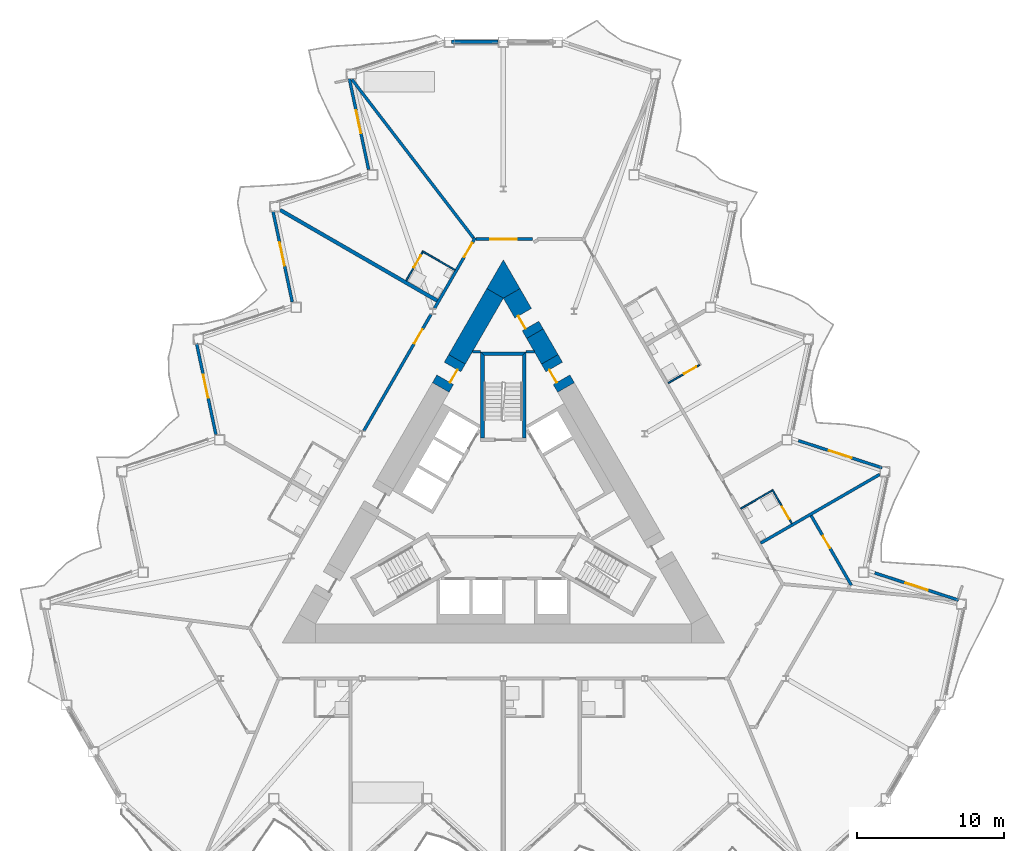
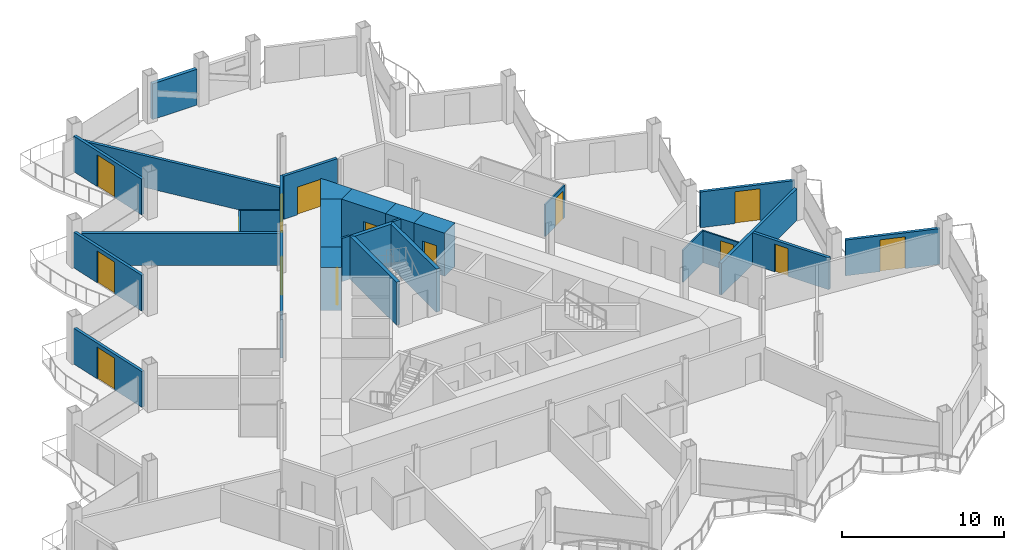
# One storey, part 14 of 23: 29 walls, 15 doors, 15 openings.
"""IFC4 building model written with IfcOpenShell, lengths in metres."""

from ifc_helpers import new_model, si_unit, direction, frame, frame_2d, origin, place, context, subcontext, project, spatial, polyline, rectangle, outline, extrude, material, layer, layer_set, type_object, element, fill, save


model = new_model("IFC4")

# Units and contexts
model_context = context("Model", 3, precision=1e-05, world=origin(), true_north=direction((0.0, 1.0)))
body_context = subcontext(model_context, "Body", "Model", "MODEL_VIEW")
ifc_project = project(units=[si_unit("LENGTHUNIT", "METRE"), si_unit("AREAUNIT", "SQUARE_METRE"), si_unit("VOLUMEUNIT", "CUBIC_METRE"), si_unit("PLANEANGLEUNIT", "RADIAN"), si_unit("MASSUNIT", "GRAM", prefix="KILO")], contexts=[model_context])

# Site, building, storey
site_placement = place(None, origin())
site = spatial("IfcSite", under=ifc_project, at=site_placement, CompositionType="ELEMENT")
building_placement = place(site_placement, origin())
building = spatial("IfcBuilding", under=site, at=building_placement, Name="Cormorant Prow Tower", CompositionType="ELEMENT")
storey_placement = place(building_placement, frame((0.0, 0.0, 252.60009765625)))
storey = spatial("IfcBuildingStorey", under=building, at=storey_placement, Name="L56", CompositionType="ELEMENT", Elevation=252.60009765625)

# Walls
ifc_material_1 = material(Name="Gypsum board partition")
ifc_layer_1 = layer(ifc_material_1, 0.14990234375)
ifc_layer_set_1 = layer_set([ifc_layer_1], Name="Gypsum board partition")
wall_type_1 = type_object("IfcWallType", Name="Core partition 150", PredefinedType="PARTITIONING", material=ifc_layer_set_1)
for number, where, z_axis, x_axis, name in (
    (1, (1.5439453125, 11.0869140625, 0.0), (0.0, 0.0, 1.0), (1.0, 0.0, 0.0), "Service room partition"),
    (2, (-1.5439453125, 11.0869140625, 0.0), (0.0, 0.0, 1.0), (-1.0, 0.0, 0.0), "Service room partition"),
):
    element("IfcWall", number, at=place(storey_placement, frame(where, z_axis=z_axis, x_axis=x_axis)), inside=storey, type_object=wall_type_1, Name=name, PredefinedType="PARTITIONING", context=body_context, shape_type="SweptSolid", body=[
        extrude(rectangle(XDim=0.553955078125, YDim=0.14990234375, at=frame_2d((0.27685546875, 0.0))), origin(), (0.0, 0.0, 1.0), 3.25),
    ])
ifc_material_2 = material(Name="Concrete 8000 psi", Category="concrete")
ifc_layer_2 = layer(ifc_material_2, 1.300048828125)
ifc_layer_set_2 = layer_set([ifc_layer_2], Name="Concrete 8000 psi")
wall_type_2 = type_object("IfcWallType", Name="Core shear wall 1300", PredefinedType="SHEAR", material=ifc_layer_set_2)
wall_1_placement = place(storey_placement, frame((3.14501953125, 10.572998046875, 0.0), z_axis=(0.0, 0.0, 1.0), x_axis=(-0.500006371327, 0.866021725266, 0.0)))
element("IfcWall", 3, at=wall_1_placement, inside=storey, type_object=wall_type_2, Name="Core wall", PredefinedType="SHEAR", context=body_context, shape_type="SweptSolid", body=[
    extrude(rectangle(XDim=2.009765625, YDim=1.300048828125, at=frame_2d((1.0048828125, 0.0))), origin(), (0.0, 0.0, 1.0), 3.25),
])
wall_2_placement = place(storey_placement, frame((-0.56298828125, 15.04541015625, 0.0), z_axis=(0.0, 0.0, 1.0), x_axis=(-0.499982995661, -0.866035221021, 0.0)))
element("IfcWall", 4, at=wall_2_placement, inside=storey, type_object=wall_type_2, Name="Core wall", PredefinedType="SHEAR", context=body_context, shape_type="SweptSolid", body=[
    extrude(rectangle(XDim=5.164306640625, YDim=1.300048828125, at=frame_2d((2.58203125, 0.0))), origin(), (0.0, 0.0, 1.0), 3.25),
])
wall_3_placement = place(storey_placement, origin())
element("IfcWall", 5, at=wall_3_placement, inside=storey, type_object=wall_type_2, Name="Core wall corner", PredefinedType="SHEAR", context=body_context, shape_type="SweptSolid", body=[
    extrude(outline(polyline([(-1.125732421875, 15.37060546875), (0.0, 17.320556640625), (1.125732421875, 15.37060546875), (0.0, 14.720458984375), (-1.125732421875, 15.37060546875)])), origin(), (0.0, 0.0, 1.0), 3.25),
])

# Wall, opening, door
wall_4_placement = place(storey_placement, frame((2.14013671875, 12.3134765625, 0.0), z_axis=(0.0, 0.0, 1.0), x_axis=(-0.499968102766, 0.866043818878, 0.0)))
wall_4 = element("IfcWall", 6, at=wall_4_placement, inside=storey, type_object=wall_type_2, Name="Core wall door panel", PredefinedType="SHEAR", context=body_context, shape_type="SweptSolid", body=[
    extrude(rectangle(XDim=3.154541015625, YDim=1.300048828125, at=frame_2d((1.5771484375, 0.0))), origin(), (0.0, 0.0, 1.0), 3.25),
])
opening_1_placement = place(wall_4_placement, frame((0.60009765625, 0.0, 0.0)))
opening_1 = element("IfcOpeningElement", 7, at=opening_1_placement, cuts=wall_4, Name="Opening L56-C16", PredefinedType="OPENING", context=body_context, shape_type="SweptSolid", body=[
    extrude(rectangle(XDim=1.0, YDim=2.10009765625, at=frame_2d((0.5, 1.050048828125))), frame((0.0, 0.659912109375, 0.0), z_axis=(0.0, -1.0, 0.0), x_axis=(1.0, 0.0, 0.0)), (0.0, 0.0, 1.0), 1.320068359375),
])
ifc_material_3 = material(Name="Painted steel", Category="steel")
door_type_1 = type_object("IfcDoorType", Name="Service door 1000x2100", OperationType="NOTDEFINED", PredefinedType="DOOR", material=ifc_material_3)
door_1_placement = place(opening_1_placement, origin())
door_1 = element("IfcDoor", 8, at=door_1_placement, inside=storey, type_object=door_type_1, Name="Core door, Mechanical riser room", OperationType="SINGLE_SWING_RIGHT", OverallHeight=2.10009765625, OverallWidth=1.0, PredefinedType="DOOR", context=body_context, shape_type="SweptSolid", body=[
    extrude(rectangle(XDim=1.0, YDim=2.10009765625, at=frame_2d((0.5, 1.050048828125))), frame((0.0, 0.40478515625, 0.0), z_axis=(0.0, -1.0, 0.0), x_axis=(1.0, 0.0, 0.0)), (0.0, 0.0, 1.0), 0.050048828125),
])
fill(opening_1, door_1)

wall_5_placement = place(storey_placement, frame((4.2451171875, 8.667724609375, 0.0), z_axis=(0.0, 0.0, 1.0), x_axis=(-0.50002983664, 0.866008176907, 0.0)))
wall_5 = element("IfcWall", 9, at=wall_5_placement, inside=storey, type_object=wall_type_2, Name="Core wall door panel", PredefinedType="SHEAR", context=body_context, shape_type="SweptSolid", body=[
    extrude(rectangle(XDim=2.199951171875, YDim=1.300048828125, at=frame_2d((1.10009765625, 0.0))), origin(), (0.0, 0.0, 1.0), 3.25),
])
opening_2_placement = place(wall_5_placement, frame((0.60009765625, 0.0, 0.0)))
opening_2 = element("IfcOpeningElement", 10, at=opening_2_placement, cuts=wall_5, Name="Opening L56-C17", PredefinedType="OPENING", context=body_context, shape_type="SweptSolid", body=[
    extrude(rectangle(XDim=1.0, YDim=2.10009765625, at=frame_2d((0.5, 1.050048828125))), frame((0.0, 0.659912109375, 0.0), z_axis=(0.0, -1.0, 0.0), x_axis=(1.0, 0.0, 0.0)), (0.0, 0.0, 1.0), 1.320068359375),
])
door_2_placement = place(opening_2_placement, origin())
door_2 = element("IfcDoor", 11, at=door_2_placement, inside=storey, type_object=door_type_1, Name="Core door, Mechanical riser room", OperationType="SINGLE_SWING_RIGHT", OverallHeight=2.10009765625, OverallWidth=1.0, PredefinedType="DOOR", context=body_context, shape_type="SweptSolid", body=[
    extrude(rectangle(XDim=1.0, YDim=2.10009765625, at=frame_2d((0.5, 1.050048828125))), frame((0.0, 0.40478515625, 0.0), z_axis=(0.0, -1.0, 0.0), x_axis=(1.0, 0.0, 0.0)), (0.0, 0.0, 1.0), 0.050048828125),
])
fill(opening_2, door_2)

wall_6_placement = place(storey_placement, frame((-3.14501953125, 10.572998046875, 0.0), z_axis=(0.0, 0.0, 1.0), x_axis=(-0.50002983664, -0.866008176907, 0.0)))
wall_6 = element("IfcWall", 12, at=wall_6_placement, inside=storey, type_object=wall_type_2, Name="Core wall door panel", PredefinedType="SHEAR", context=body_context, shape_type="SweptSolid", body=[
    extrude(rectangle(XDim=2.199951171875, YDim=1.300048828125, at=frame_2d((1.10009765625, 0.0))), origin(), (0.0, 0.0, 1.0), 3.25),
])
opening_3_placement = place(wall_6_placement, frame((0.60009765625, 0.0, 0.0)))
opening_3 = element("IfcOpeningElement", 13, at=opening_3_placement, cuts=wall_6, Name="Opening L56-C18", PredefinedType="OPENING", context=body_context, shape_type="SweptSolid", body=[
    extrude(rectangle(XDim=1.0, YDim=2.10009765625, at=frame_2d((0.5, 1.050048828125))), frame((0.0, 0.659912109375, 0.0), z_axis=(0.0, -1.0, 0.0), x_axis=(1.0, 0.0, 0.0)), (0.0, 0.0, 1.0), 1.320068359375),
])
door_3_placement = place(opening_3_placement, origin())
door_3 = element("IfcDoor", 14, at=door_3_placement, inside=storey, type_object=door_type_1, Name="Core door, Mechanical riser room", OperationType="SINGLE_SWING_LEFT", OverallHeight=2.10009765625, OverallWidth=1.0, PredefinedType="DOOR", context=body_context, shape_type="SweptSolid", body=[
    extrude(rectangle(XDim=1.0, YDim=2.10009765625, at=frame_2d((0.5, 1.050048828125))), frame((0.0, 0.40478515625, 0.0), z_axis=(0.0, -1.0, 0.0), x_axis=(1.0, 0.0, 0.0)), (0.0, 0.0, 1.0), 0.050048828125),
])
fill(opening_3, door_3)

ifc_material_4 = material(Name="Gypsum board corridor wall")
ifc_layer_3 = layer(ifc_material_4, 0.199951171875)
ifc_layer_set_3 = layer_set([ifc_layer_3], Name="Gypsum board corridor wall")
wall_type_3 = type_object("IfcWallType", Name="Corridor wall 200", PredefinedType="PARTITIONING", material=ifc_layer_set_3)
wall_7_placement = place(storey_placement, frame((-9.45751953125, 5.739501953125, 0.0), z_axis=(0.0, 0.0, 1.0), x_axis=(0.50000207303, 0.866024206917, 0.0)))
wall_7 = element("IfcWall", 15, at=wall_7_placement, inside=storey, type_object=wall_type_3, Name="Corridor wall", PredefinedType="PARTITIONING", context=body_context, shape_type="SweptSolid", body=[
    extrude(rectangle(XDim=9.0947265625, YDim=0.199951171875, at=frame_2d((4.54736328125, 0.0))), origin(), (0.0, 0.0, 1.0), 3.25),
])
opening_4_placement = place(wall_7_placement, frame((6.833251953125, 0.0, 0.0)))
opening_4 = element("IfcOpeningElement", 16, at=opening_4_placement, cuts=wall_7, Name="Opening L56-F21", PredefinedType="OPENING", context=body_context, shape_type="SweptSolid", body=[
    extrude(rectangle(XDim=1.10009765625, YDim=2.10009765625, at=frame_2d((0.550048828125, 1.050048828125))), frame((0.0, 0.10986328125, 0.0), z_axis=(0.0, -1.0, 0.0), x_axis=(1.0, 0.0, 0.0)), (0.0, 0.0, 1.0), 0.219970703125),
])
ifc_material_5 = material(Name="Timber door leaf", Category="wood")
door_type_2 = type_object("IfcDoorType", Name="Suite entrance door 1100x2100", OperationType="NOTDEFINED", PredefinedType="DOOR", material=ifc_material_5)
door_4_placement = place(opening_4_placement, origin())
door_4 = element("IfcDoor", 17, at=door_4_placement, inside=storey, type_object=door_type_2, Name="Executive suite bedroom door", OperationType="SINGLE_SWING_LEFT", OverallHeight=2.10009765625, OverallWidth=1.10009765625, PredefinedType="DOOR", context=body_context, shape_type="SweptSolid", body=[
    extrude(rectangle(XDim=1.10009765625, YDim=2.10009765625, at=frame_2d((0.550048828125, 1.050048828125))), frame((0.0, 0.02490234375, 0.0), z_axis=(0.0, -1.0, 0.0), x_axis=(1.0, 0.0, 0.0)), (0.0, 0.0, 1.0), 0.050048828125),
])
fill(opening_4, door_4)

wall_8_placement = place(storey_placement, frame((-4.668212890625, 14.034912109375, 0.0), z_axis=(0.0, 0.0, 1.0), x_axis=(0.499984524817, 0.866034338201, 0.0)))
wall_8 = element("IfcWall", 18, at=wall_8_placement, inside=storey, type_object=wall_type_3, Name="Corridor wall", PredefinedType="PARTITIONING", context=body_context, shape_type="SweptSolid", body=[
    extrude(rectangle(XDim=5.510498046875, YDim=0.199951171875, at=frame_2d((2.75537109375, 0.0))), origin(), (0.0, 0.0, 1.0), 3.25),
])
opening_5_placement = place(wall_8_placement, frame((4.009765625, 0.0, 0.0)))
opening_5 = element("IfcOpeningElement", 19, at=opening_5_placement, cuts=wall_8, Name="Opening L56-F19", PredefinedType="OPENING", context=body_context, shape_type="SweptSolid", body=[
    extrude(rectangle(XDim=1.10009765625, YDim=2.10009765625, at=frame_2d((0.550048828125, 1.050048828125))), frame((0.0, 0.10986328125, 0.0), z_axis=(0.0, -1.0, 0.0), x_axis=(1.0, 0.0, 0.0)), (0.0, 0.0, 1.0), 0.219970703125),
])
door_5_placement = place(opening_5_placement, origin())
door_5 = element("IfcDoor", 20, at=door_5_placement, inside=storey, type_object=door_type_2, Name="Junior suite door", OperationType="SINGLE_SWING_RIGHT", OverallHeight=2.10009765625, OverallWidth=1.10009765625, PredefinedType="DOOR", context=body_context, shape_type="SweptSolid", body=[
    extrude(rectangle(XDim=1.10009765625, YDim=2.10009765625, at=frame_2d((0.550048828125, 1.050048828125))), frame((0.0, 0.02490234375, 0.0), z_axis=(0.0, -1.0, 0.0), x_axis=(1.0, 0.0, 0.0)), (0.0, 0.0, 1.0), 0.050048828125),
])
fill(opening_5, door_5)

wall_9_placement = place(storey_placement, frame((-1.863037109375, 18.720458984375, 0.0), z_axis=(0.0, 0.0, 1.0), x_axis=(1.0, 0.0, 0.0)))
wall_9 = element("IfcWall", 21, at=wall_9_placement, inside=storey, type_object=wall_type_3, Name="Corridor wall", PredefinedType="PARTITIONING", context=body_context, shape_type="SweptSolid", body=[
    extrude(rectangle(XDim=3.825927734375, YDim=0.199951171875, at=frame_2d((1.9130859375, 0.0))), origin(), (0.0, 0.0, 1.0), 3.25),
])
opening_6_placement = place(wall_9_placement, frame((0.962158203125, 0.0, 0.0)))
opening_6 = element("IfcOpeningElement", 22, at=opening_6_placement, cuts=wall_9, Name="Opening L56-F18", PredefinedType="OPENING", context=body_context, shape_type="SweptSolid", body=[
    extrude(rectangle(XDim=1.800048828125, YDim=2.10009765625, at=frame_2d((0.89990234375, 1.050048828125))), frame((0.0, 0.10986328125, 0.0), z_axis=(0.0, -1.0, 0.0), x_axis=(1.0, 0.0, 0.0)), (0.0, 0.0, 1.0), 0.219970703125),
])
ifc_material_6 = material(Name="Timber door leaf", Category="wood")
door_type_3 = type_object("IfcDoorType", Name="Double door 1800x2100", OperationType="DOUBLE_DOOR_SINGLE_SWING", PredefinedType="DOOR", material=ifc_material_6)
door_6_placement = place(opening_6_placement, origin())
door_6 = element("IfcDoor", 23, at=door_6_placement, inside=storey, type_object=door_type_3, Name="Co-working space door", OperationType="DOUBLE_DOOR_SINGLE_SWING", OverallHeight=2.10009765625, OverallWidth=1.800048828125, PredefinedType="DOOR", context=body_context, shape_type="SweptSolid", body=[
    extrude(rectangle(XDim=1.800048828125, YDim=2.10009765625, at=frame_2d((0.89990234375, 1.050048828125))), frame((0.0, 0.02490234375, 0.0), z_axis=(0.0, -1.0, 0.0), x_axis=(1.0, 0.0, 0.0)), (0.0, 0.0, 1.0), 0.050048828125),
])
fill(opening_6, door_6)

# Walls
ifc_material_7 = material(Name="Gypsum board demising wall")
ifc_layer_4 = layer(ifc_material_7, 0.199951171875)
ifc_layer_set_4 = layer_set([ifc_layer_4], Name="Gypsum board demising wall")
wall_type_4 = type_object("IfcWallType", Name="Demising wall 200", PredefinedType="PARTITIONING", material=ifc_layer_set_4)
wall_10_placement = place(storey_placement, frame((-10.27734375, 29.555908203125, 0.0), z_axis=(0.0, 0.0, 1.0), x_axis=(0.60876001101, -0.793354428358, 0.0)))
element("IfcWall", 24, at=wall_10_placement, inside=storey, type_object=wall_type_4, Name="Demising wall", PredefinedType="PARTITIONING", context=body_context, shape_type="SweptSolid", body=[
    extrude(rectangle(XDim=13.557861328125, YDim=0.199951171875, at=frame_2d((6.77880859375, 0.0))), origin(), (0.0, 0.0, 1.0), 2.404052734375),
])
wall_11_placement = place(storey_placement, frame((17.442626953125, -1.89111328125, 0.0), z_axis=(0.0, 0.0, 1.0), x_axis=(0.866019838429, 0.500009639354, 0.0)))
element("IfcWall", 25, at=wall_11_placement, inside=storey, type_object=wall_type_4, Name="Demising wall", PredefinedType="PARTITIONING", context=body_context, shape_type="SweptSolid", body=[
    extrude(rectangle(XDim=9.321044921875, YDim=0.199951171875, at=frame_2d((4.66064453125, 0.0))), origin(), (0.0, 0.0, 1.0), 2.404052734375),
])

# Wall, opening, door
wall_12_placement = place(storey_placement, frame((20.8701171875, -0.027587890625, 0.0), z_axis=(0.0, 0.0, 1.0), x_axis=(0.499993928037, -0.866028909405, 0.0)))
wall_12 = element("IfcWall", 26, at=wall_12_placement, inside=storey, type_object=wall_type_4, Name="Demising wall", PredefinedType="PARTITIONING", context=body_context, shape_type="SweptSolid", body=[
    extrude(rectangle(XDim=5.44921875, YDim=0.199951171875, at=frame_2d((2.724609375, 0.0))), origin(), (0.0, 0.0, 1.0), 2.404052734375),
])
opening_7_placement = place(wall_12_placement, frame((1.5830078125, 0.0, 0.0)))
opening_7 = element("IfcOpeningElement", 27, at=opening_7_placement, cuts=wall_12, Name="Opening L56-F11", PredefinedType="OPENING", context=body_context, shape_type="SweptSolid", body=[
    extrude(rectangle(XDim=0.949951171875, YDim=2.10009765625, at=frame_2d((0.47509765625, 1.050048828125))), frame((0.0, 0.10986328125, 0.0), z_axis=(0.0, -1.0, 0.0), x_axis=(1.0, 0.0, 0.0)), (0.0, 0.0, 1.0), 0.219970703125),
])
ifc_material_8 = material(Name="Timber door leaf", Category="wood")
door_type_4 = type_object("IfcDoorType", Name="Store door 950x2100", OperationType="NOTDEFINED", PredefinedType="DOOR", material=ifc_material_8)
door_7_placement = place(opening_7_placement, origin())
door_7 = element("IfcDoor", 28, at=door_7_placement, inside=storey, type_object=door_type_4, Name="Housekeeping room door", OperationType="SINGLE_SWING_RIGHT", OverallHeight=2.10009765625, OverallWidth=0.949951171875, PredefinedType="DOOR", context=body_context, shape_type="SweptSolid", body=[
    extrude(rectangle(XDim=0.949951171875, YDim=2.10009765625, at=frame_2d((0.47509765625, 1.050048828125))), frame((0.0, 0.02490234375, 0.0), z_axis=(0.0, -1.0, 0.0), x_axis=(1.0, 0.0, 0.0)), (0.0, 0.0, 1.0), 0.050048828125),
])
fill(opening_7, door_7)

ifc_material_9 = material(Name="Gypsum board partition")
ifc_layer_5 = layer(ifc_material_9, 0.10009765625)
ifc_layer_set_5 = layer_set([ifc_layer_5], Name="Gypsum board partition")
wall_type_5 = type_object("IfcWallType", Name="Internal partition 100", PredefinedType="PARTITIONING", material=ifc_layer_set_5)
wall_13_placement = place(storey_placement, frame((18.232666015625, 1.740478515625, 0.0), z_axis=(0.0, 0.0, 1.0), x_axis=(0.499993606316, -0.866029095148, 0.0)))
wall_13 = element("IfcWall", 29, at=wall_13_placement, inside=storey, type_object=wall_type_5, Name="Internal partition", PredefinedType="PARTITIONING", context=body_context, shape_type="SweptSolid", body=[
    extrude(rectangle(XDim=2.64990234375, YDim=0.10009765625, at=frame_2d((1.324951171875, 0.0))), origin(), (0.0, 0.0, 1.0), 2.404052734375),
])
opening_8_placement = place(wall_13_placement, frame((1.3408203125, 0.0, 0.0)))
opening_8 = element("IfcOpeningElement", 30, at=opening_8_placement, cuts=wall_13, Name="Opening L56-F13", PredefinedType="OPENING", context=body_context, shape_type="SweptSolid", body=[
    extrude(rectangle(XDim=0.949951171875, YDim=2.10009765625, at=frame_2d((0.47509765625, 1.050048828125))), frame((0.0, 0.06005859375, 0.0), z_axis=(0.0, -1.0, 0.0), x_axis=(1.0, 0.0, 0.0)), (0.0, 0.0, 1.0), 0.1201171875),
])
ifc_material_10 = material(Name="Timber door leaf", Category="wood")
door_type_5 = type_object("IfcDoorType", Name="Bathroom door 950x2100", OperationType="NOTDEFINED", PredefinedType="DOOR", material=ifc_material_10)
door_8_placement = place(opening_8_placement, origin())
door_8 = element("IfcDoor", 31, at=door_8_placement, inside=storey, type_object=door_type_5, Name="Guest room door", OperationType="SINGLE_SWING_RIGHT", OverallHeight=2.10009765625, OverallWidth=0.949951171875, PredefinedType="DOOR", context=body_context, shape_type="SweptSolid", body=[
    extrude(rectangle(XDim=0.949951171875, YDim=2.10009765625, at=frame_2d((0.47509765625, 1.050048828125))), frame((0.0, 0.02490234375, 0.0), z_axis=(0.0, -1.0, 0.0), x_axis=(1.0, 0.0, 0.0)), (0.0, 0.0, 1.0), 0.050048828125),
])
fill(opening_8, door_8)

# Wall
wall_14_placement = place(storey_placement, frame((16.092529296875, 0.447265625, 0.0), z_axis=(0.0, 0.0, 1.0), x_axis=(0.866057815567, 0.499943856944, 0.0)))
element("IfcWall", 32, at=wall_14_placement, inside=storey, type_object=wall_type_5, Name="Internal partition", PredefinedType="PARTITIONING", context=body_context, shape_type="SweptSolid", body=[
    extrude(rectangle(XDim=2.449951171875, YDim=0.10009765625, at=frame_2d((1.22509765625, 0.0))), origin(), (0.0, 0.0, 1.0), 2.404052734375),
])

# Wall, opening, door
wall_15_placement = place(storey_placement, frame((11.17333984375, 8.967529296875, 0.0), z_axis=(0.0, 0.0, 1.0), x_axis=(0.866014668023, 0.500018594424, 0.0)))
wall_15 = element("IfcWall", 33, at=wall_15_placement, inside=storey, type_object=wall_type_5, Name="Internal partition", PredefinedType="PARTITIONING", context=body_context, shape_type="SweptSolid", body=[
    extrude(rectangle(XDim=2.4501953125, YDim=0.10009765625, at=frame_2d((1.22509765625, 0.0))), origin(), (0.0, 0.0, 1.0), 2.404052734375),
])
opening_9_placement = place(wall_15_placement, frame((1.25, 0.0, 0.0)))
opening_9 = element("IfcOpeningElement", 34, at=opening_9_placement, cuts=wall_15, Name="Opening L56-F15", PredefinedType="OPENING", context=body_context, shape_type="SweptSolid", body=[
    extrude(rectangle(XDim=0.949951171875, YDim=2.10009765625, at=frame_2d((0.47509765625, 1.050048828125))), frame((0.0, 0.06005859375, 0.0), z_axis=(0.0, -1.0, 0.0), x_axis=(1.0, 0.0, 0.0)), (0.0, 0.0, 1.0), 0.1201171875),
])
door_9_placement = place(opening_9_placement, origin())
door_9 = element("IfcDoor", 35, at=door_9_placement, inside=storey, type_object=door_type_5, Name="Junior suite door", OperationType="SINGLE_SWING_RIGHT", OverallHeight=2.10009765625, OverallWidth=0.949951171875, PredefinedType="DOOR", context=body_context, shape_type="SweptSolid", body=[
    extrude(rectangle(XDim=0.949951171875, YDim=2.10009765625, at=frame_2d((0.47509765625, 1.050048828125))), frame((0.0, 0.02490234375, 0.0), z_axis=(0.0, -1.0, 0.0), x_axis=(1.0, 0.0, 0.0)), (0.0, 0.0, 1.0), 0.050048828125),
])
fill(opening_9, door_9)

# Wall
wall_16_placement = place(storey_placement, frame((-5.493896484375, 17.90478515625, 0.0), z_axis=(0.0, 0.0, 1.0), x_axis=(0.866030925526, -0.499990435942, 0.0)))
element("IfcWall", 36, at=wall_16_placement, inside=storey, type_object=wall_type_5, Name="Internal partition", PredefinedType="PARTITIONING", context=body_context, shape_type="SweptSolid", body=[
    extrude(rectangle(XDim=2.5498046875, YDim=0.10009765625, at=frame_2d((1.27490234375, 0.0))), origin(), (0.0, 0.0, 1.0), 2.404052734375),
])

# Wall, opening, door
wall_17_placement = place(storey_placement, frame((-6.588134765625, 15.909423828125, 0.0), z_axis=(0.0, 0.0, 1.0), x_axis=(0.49999788721, 0.866026623601, 0.0)))
wall_17 = element("IfcWall", 37, at=wall_17_placement, inside=storey, type_object=wall_type_5, Name="Internal partition", PredefinedType="PARTITIONING", context=body_context, shape_type="SweptSolid", body=[
    extrude(rectangle(XDim=2.22509765625, YDim=0.10009765625, at=frame_2d((1.112548828125, 0.0))), origin(), (0.0, 0.0, 1.0), 2.404052734375),
])
opening_10_placement = place(wall_17_placement, frame((1.02490234375, 0.0, 0.0)))
opening_10 = element("IfcOpeningElement", 38, at=opening_10_placement, cuts=wall_17, Name="Opening L56-F20", PredefinedType="OPENING", context=body_context, shape_type="SweptSolid", body=[
    extrude(rectangle(XDim=0.949951171875, YDim=2.10009765625, at=frame_2d((0.47509765625, 1.050048828125))), frame((0.0, 0.06005859375, 0.0), z_axis=(0.0, -1.0, 0.0), x_axis=(1.0, 0.0, 0.0)), (0.0, 0.0, 1.0), 0.1201171875),
])
door_10_placement = place(opening_10_placement, origin())
door_10 = element("IfcDoor", 39, at=door_10_placement, inside=storey, type_object=door_type_5, Name="Junior suite door", OperationType="SINGLE_SWING_RIGHT", OverallHeight=2.10009765625, OverallWidth=0.949951171875, PredefinedType="DOOR", context=body_context, shape_type="SweptSolid", body=[
    extrude(rectangle(XDim=0.949951171875, YDim=2.10009765625, at=frame_2d((0.47509765625, 1.050048828125))), frame((0.0, 0.02490234375, 0.0), z_axis=(0.0, -1.0, 0.0), x_axis=(1.0, 0.0, 0.0)), (0.0, 0.0, 1.0), 0.050048828125),
])
fill(opening_10, door_10)

# Walls
ifc_material_11 = material(Name="Concrete 8000 psi", Category="concrete")
ifc_layer_6 = layer(ifc_material_11, 0.25)
ifc_layer_set_6 = layer_set([ifc_layer_6], Name="Concrete 8000 psi")
wall_type_6 = type_object("IfcWallType", Name="Stair wall 250", PredefinedType="SHEAR", material=ifc_layer_set_6)
wall_18_placement = place(storey_placement, origin())
element("IfcWall", 40, at=wall_18_placement, inside=storey, type_object=wall_type_6, Name="Stair ST3 enclosure wall (flank)", PredefinedType="SHEAR", context=body_context, shape_type="SweptSolid", body=[
    extrude(outline(polyline([(1.5439453125, 5.23681640625), (1.5439453125, 11.0869140625), (1.2939453125, 10.8369140625), (1.2939453125, 5.23681640625), (1.5439453125, 5.23681640625)])), origin(), (0.0, 0.0, 1.0), 3.25),
])
wall_19_placement = place(storey_placement, origin())
element("IfcWall", 41, at=wall_19_placement, inside=storey, type_object=wall_type_6, Name="Stair ST3 enclosure wall (end)", PredefinedType="SHEAR", context=body_context, shape_type="SweptSolid", body=[
    extrude(outline(polyline([(1.5439453125, 11.0869140625), (-1.5439453125, 11.0869140625), (-1.2939453125, 10.8369140625), (1.2939453125, 10.8369140625), (1.5439453125, 11.0869140625)])), origin(), (0.0, 0.0, 1.0), 3.25),
])
wall_20_placement = place(storey_placement, origin())
element("IfcWall", 42, at=wall_20_placement, inside=storey, type_object=wall_type_6, Name="Stair ST3 enclosure wall (flank)", PredefinedType="SHEAR", context=body_context, shape_type="SweptSolid", body=[
    extrude(outline(polyline([(-1.2939453125, 10.8369140625), (-1.5439453125, 11.0869140625), (-1.5439453125, 5.23681640625), (-1.2939453125, 5.23681640625), (-1.2939453125, 10.8369140625)])), origin(), (0.0, 0.0, 1.0), 3.25),
])
ifc_material_12 = material(Name="Acoustic gypsum party wall")
ifc_layer_7 = layer(ifc_material_12, 0.25)
ifc_layer_set_7 = layer_set([ifc_layer_7], Name="Acoustic gypsum party wall")
wall_type_7 = type_object("IfcWallType", Name="Suite party wall 250", PredefinedType="PARTITIONING", material=ifc_layer_set_7)
wall_21_placement = place(storey_placement, frame((-15.138427734375, 20.70166015625, 0.0), z_axis=(0.0, 0.0, 1.0), x_axis=(0.86602627735, -0.499998486937, 0.0)))
element("IfcWall", 43, at=wall_21_placement, inside=storey, type_object=wall_type_7, Name="Suite party wall", PredefinedType="PARTITIONING", context=body_context, shape_type="SweptSolid", body=[
    extrude(rectangle(XDim=12.30078125, YDim=0.25, at=frame_2d((6.150390625, 0.0))), origin(), (0.0, 0.0, 1.0), 2.404052734375),
])
ifc_material_13 = material(Name="Terracotta", Category="masonry")
ifc_layer_8 = layer(ifc_material_13, 0.25)
ifc_layer_set_8 = layer_set([ifc_layer_8], Name="Terracotta")
wall_type_8 = type_object("IfcWallType", Name="Terracotta bay wall 250", PredefinedType="SOLIDWALL", material=ifc_layer_set_8)
wall_22_placement = place(storey_placement, frame((-0.35009765625, 32.099609375, 0.0), z_axis=(0.0, 0.0, 1.0), x_axis=(-1.0, 0.0, 0.0)))
element("IfcWall", 44, at=wall_22_placement, inside=storey, type_object=wall_type_8, Name="Terracotta bay wall N01", PredefinedType="SOLIDWALL", context=body_context, shape_type="SweptSolid", body=[
    extrude(rectangle(XDim=3.168701171875, YDim=0.25, at=frame_2d((1.58447265625, 0.0))), origin(), (0.0, 0.0, 1.0), 2.70068359375),
])

# Wall, opening, door
ifc_material_14 = material(Name="Terracotta", Category="masonry")
ifc_layer_9 = layer(ifc_material_14, 0.199951171875)
ifc_layer_set_9 = layer_set([ifc_layer_9], Name="Terracotta")
wall_type_9 = type_object("IfcWallType", Name="Terracotta jamb wall 200", PredefinedType="SOLIDWALL", material=ifc_layer_set_9)
wall_23_placement = place(storey_placement, frame((30.85888671875, -5.754150390625, 0.0), z_axis=(0.0, 0.0, 1.0), x_axis=(-0.951049400374, 0.309038894069, 0.0)))
wall_23 = element("IfcWall", 45, at=wall_23_placement, inside=storey, type_object=wall_type_9, Name="Terracotta jamb wall ENE01", PredefinedType="SOLIDWALL", context=body_context, shape_type="SweptSolid", body=[
    extrude(rectangle(XDim=5.9677734375, YDim=0.199951171875, at=frame_2d((2.98388671875, 0.0))), origin(), (0.0, 0.0, 1.0), 2.70068359375),
])
opening_11_placement = place(wall_23_placement, frame((2.183837890625, 0.0, 0.0)))
opening_11 = element("IfcOpeningElement", 46, at=opening_11_placement, cuts=wall_23, Name="Opening ED56.06", PredefinedType="OPENING", context=body_context, shape_type="SweptSolid", body=[
    extrude(rectangle(XDim=1.60009765625, YDim=2.39990234375, at=frame_2d((0.800048828125, 1.199951171875))), frame((0.0, 0.10986328125, 0.0), z_axis=(0.0, -1.0, 0.0), x_axis=(1.0, 0.0, 0.0)), (0.0, 0.0, 1.0), 0.219970703125),
])
ifc_material_15 = material(Name="Aluminium 6063-T6", Category="aluminium")
door_type_6 = type_object("IfcDoorType", Name="Balcony door 1600x2400", OperationType="DOUBLE_DOOR_SINGLE_SWING", PredefinedType="DOOR", material=ifc_material_15)
door_11_placement = place(opening_11_placement, origin())
door_11 = element("IfcDoor", 47, at=door_11_placement, inside=storey, type_object=door_type_6, Name="Balcony door ENE01 ED56.06", OperationType="DOUBLE_DOOR_SINGLE_SWING", OverallHeight=2.39990234375, OverallWidth=1.60009765625, PredefinedType="DOOR", context=body_context, shape_type="SweptSolid", body=[
    extrude(rectangle(XDim=1.60009765625, YDim=2.39990234375, at=frame_2d((0.800048828125, 1.199951171875))), frame((0.0, 0.02490234375, 0.0), z_axis=(0.0, -1.0, 0.0), x_axis=(1.0, 0.0, 0.0)), (0.0, 0.0, 1.0), 0.050048828125),
])
fill(opening_11, door_11)

wall_24_placement = place(storey_placement, frame((25.679443359375, 3.217041015625, 0.0), z_axis=(0.0, 0.0, 1.0), x_axis=(-0.951049400374, 0.309038894069, 0.0)))
wall_24 = element("IfcWall", 48, at=wall_24_placement, inside=storey, type_object=wall_type_9, Name="Terracotta jamb wall ENE03", PredefinedType="SOLIDWALL", context=body_context, shape_type="SweptSolid", body=[
    extrude(rectangle(XDim=5.9677734375, YDim=0.199951171875, at=frame_2d((2.98388671875, 0.0))), origin(), (0.0, 0.0, 1.0), 2.70068359375),
])
opening_12_placement = place(wall_24_placement, frame((2.183837890625, 0.0, 0.0)))
opening_12 = element("IfcOpeningElement", 49, at=opening_12_placement, cuts=wall_24, Name="Opening ED56.07", PredefinedType="OPENING", context=body_context, shape_type="SweptSolid", body=[
    extrude(rectangle(XDim=1.60009765625, YDim=2.39990234375, at=frame_2d((0.800048828125, 1.199951171875))), frame((0.0, 0.10986328125, 0.0), z_axis=(0.0, -1.0, 0.0), x_axis=(1.0, 0.0, 0.0)), (0.0, 0.0, 1.0), 0.219970703125),
])
door_12_placement = place(opening_12_placement, origin())
door_12 = element("IfcDoor", 50, at=door_12_placement, inside=storey, type_object=door_type_6, Name="Balcony door ENE03 ED56.07", OperationType="DOUBLE_DOOR_SINGLE_SWING", OverallHeight=2.39990234375, OverallWidth=1.60009765625, PredefinedType="DOOR", context=body_context, shape_type="SweptSolid", body=[
    extrude(rectangle(XDim=1.60009765625, YDim=2.39990234375, at=frame_2d((0.800048828125, 1.199951171875))), frame((0.0, 0.02490234375, 0.0), z_axis=(0.0, -1.0, 0.0), x_axis=(1.0, 0.0, 0.0)), (0.0, 0.0, 1.0), 0.050048828125),
])
fill(opening_12, door_12)

wall_25_placement = place(storey_placement, frame((-10.4462890625, 29.6015625, 0.0), z_axis=(0.0, 0.0, 1.0), x_axis=(0.207926028339, -0.97814455309, 0.0)))
wall_25 = element("IfcWall", 51, at=wall_25_placement, inside=storey, type_object=wall_type_9, Name="Terracotta jamb wall WNW01", PredefinedType="SOLIDWALL", context=body_context, shape_type="SweptSolid", body=[
    extrude(rectangle(XDim=6.29345703125, YDim=0.199951171875, at=frame_2d((3.146728515625, 0.0))), origin(), (0.0, 0.0, 1.0), 2.70068359375),
])
opening_13_placement = place(wall_25_placement, frame((2.183837890625, 0.0, 0.0)))
opening_13 = element("IfcOpeningElement", 52, at=opening_13_placement, cuts=wall_25, Name="Opening ED56.11", PredefinedType="OPENING", context=body_context, shape_type="SweptSolid", body=[
    extrude(rectangle(XDim=1.60009765625, YDim=2.39990234375, at=frame_2d((0.800048828125, 1.199951171875))), frame((0.0, 0.10986328125, 0.0), z_axis=(0.0, -1.0, 0.0), x_axis=(1.0, 0.0, 0.0)), (0.0, 0.0, 1.0), 0.219970703125),
])
door_13_placement = place(opening_13_placement, origin())
door_13 = element("IfcDoor", 53, at=door_13_placement, inside=storey, type_object=door_type_6, Name="Balcony door WNW01 ED56.11", OperationType="DOUBLE_DOOR_SINGLE_SWING", OverallHeight=2.39990234375, OverallWidth=1.60009765625, PredefinedType="DOOR", context=body_context, shape_type="SweptSolid", body=[
    extrude(rectangle(XDim=1.60009765625, YDim=2.39990234375, at=frame_2d((0.800048828125, 1.199951171875))), frame((0.0, 0.02490234375, 0.0), z_axis=(0.0, -1.0, 0.0), x_axis=(1.0, 0.0, 0.0)), (0.0, 0.0, 1.0), 0.050048828125),
])
fill(opening_13, door_13)

wall_26_placement = place(storey_placement, frame((-15.625732421875, 20.630615234375, 0.0), z_axis=(0.0, 0.0, 1.0), x_axis=(0.207882853761, -0.978153729795, 0.0)))
wall_26 = element("IfcWall", 54, at=wall_26_placement, inside=storey, type_object=wall_type_9, Name="Terracotta jamb wall WNW03", PredefinedType="SOLIDWALL", context=body_context, shape_type="SweptSolid", body=[
    extrude(rectangle(XDim=6.30078125, YDim=0.199951171875, at=frame_2d((3.150390625, 0.0))), origin(), (0.0, 0.0, 1.0), 2.70068359375),
])
opening_14_placement = place(wall_26_placement, frame((2.183837890625, 0.0, 0.0)))
opening_14 = element("IfcOpeningElement", 55, at=opening_14_placement, cuts=wall_26, Name="Opening ED56.12", PredefinedType="OPENING", context=body_context, shape_type="SweptSolid", body=[
    extrude(rectangle(XDim=1.60009765625, YDim=2.39990234375, at=frame_2d((0.800048828125, 1.199951171875))), frame((0.0, 0.10986328125, 0.0), z_axis=(0.0, -1.0, 0.0), x_axis=(1.0, 0.0, 0.0)), (0.0, 0.0, 1.0), 0.219970703125),
])
door_14_placement = place(opening_14_placement, origin())
door_14 = element("IfcDoor", 56, at=door_14_placement, inside=storey, type_object=door_type_6, Name="Balcony door WNW03 ED56.12", OperationType="DOUBLE_DOOR_SINGLE_SWING", OverallHeight=2.39990234375, OverallWidth=1.60009765625, PredefinedType="DOOR", context=body_context, shape_type="SweptSolid", body=[
    extrude(rectangle(XDim=1.60009765625, YDim=2.39990234375, at=frame_2d((0.800048828125, 1.199951171875))), frame((0.0, 0.02490234375, 0.0), z_axis=(0.0, -1.0, 0.0), x_axis=(1.0, 0.0, 0.0)), (0.0, 0.0, 1.0), 0.050048828125),
])
fill(opening_14, door_14)

wall_27_placement = place(storey_placement, frame((-20.805419921875, 11.659423828125, 0.0), z_axis=(0.0, 0.0, 1.0), x_axis=(0.207913305093, -0.978147257608, 0.0)))
wall_27 = element("IfcWall", 57, at=wall_27_placement, inside=storey, type_object=wall_type_9, Name="Terracotta jamb wall WNW05", PredefinedType="SOLIDWALL", context=body_context, shape_type="SweptSolid", body=[
    extrude(rectangle(XDim=6.316162109375, YDim=0.199951171875, at=frame_2d((3.158203125, 0.0))), origin(), (0.0, 0.0, 1.0), 2.70068359375),
])
opening_15_placement = place(wall_27_placement, frame((2.183837890625, 0.0, 0.0)))
opening_15 = element("IfcOpeningElement", 58, at=opening_15_placement, cuts=wall_27, Name="Opening ED56.13", PredefinedType="OPENING", context=body_context, shape_type="SweptSolid", body=[
    extrude(rectangle(XDim=1.60009765625, YDim=2.39990234375, at=frame_2d((0.800048828125, 1.199951171875))), frame((0.0, 0.10986328125, 0.0), z_axis=(0.0, -1.0, 0.0), x_axis=(1.0, 0.0, 0.0)), (0.0, 0.0, 1.0), 0.219970703125),
])
door_15_placement = place(opening_15_placement, origin())
door_15 = element("IfcDoor", 59, at=door_15_placement, inside=storey, type_object=door_type_6, Name="Balcony door WNW05 ED56.13", OperationType="DOUBLE_DOOR_SINGLE_SWING", OverallHeight=2.39990234375, OverallWidth=1.60009765625, PredefinedType="DOOR", context=body_context, shape_type="SweptSolid", body=[
    extrude(rectangle(XDim=1.60009765625, YDim=2.39990234375, at=frame_2d((0.800048828125, 1.199951171875))), frame((0.0, 0.02490234375, 0.0), z_axis=(0.0, -1.0, 0.0), x_axis=(1.0, 0.0, 0.0)), (0.0, 0.0, 1.0), 0.050048828125),
])
fill(opening_15, door_15)

save(model, "model.ifc")
